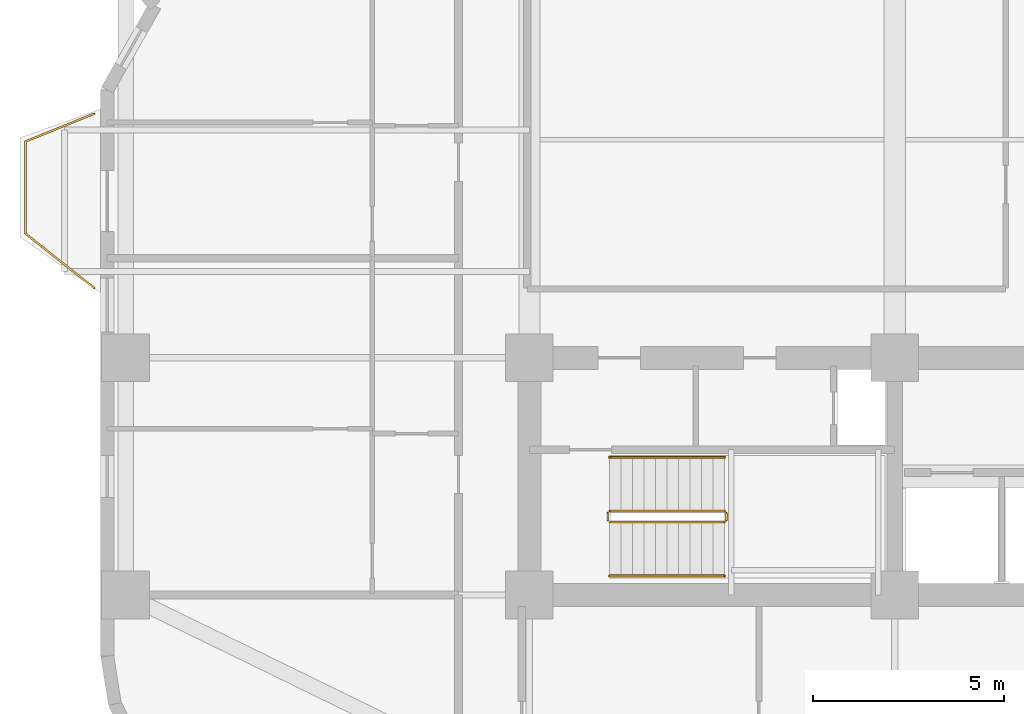
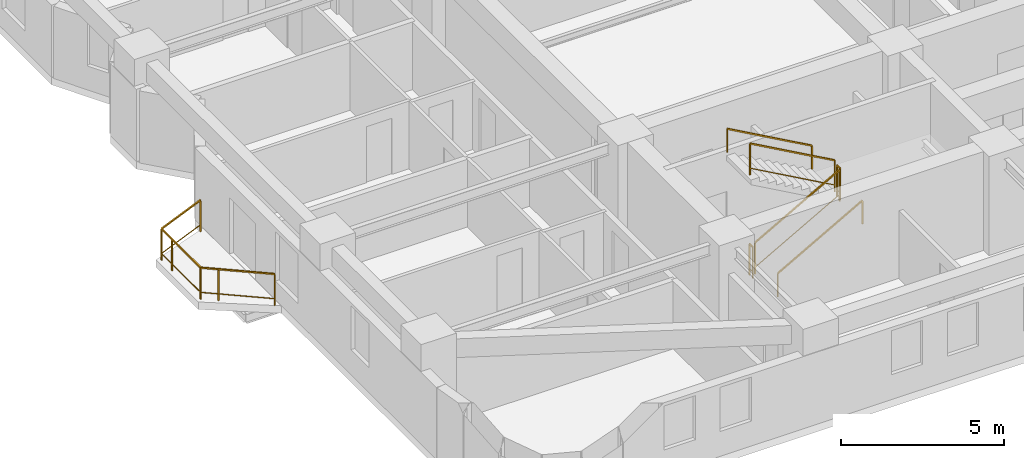
# One storey, part 8 of 9: 7 railings.
"""IFC4 building model written with IfcOpenShell, lengths in metres."""

from ifc_helpers import new_model, si_unit, direction, frame, origin, origin_2d, place, context, subcontext, project, spatial, rectangle, extrude, material, type_object, element, save


model = new_model("IFC4")

# Units and contexts
model_context = context("Model", 3, precision=1e-05, world=origin(), true_north=direction((0.0, 1.0)))
body_context = subcontext(model_context, "Body", "Model", "MODEL_VIEW")
ifc_project = project(units=[si_unit("LENGTHUNIT", "METRE"), si_unit("AREAUNIT", "SQUARE_METRE"), si_unit("VOLUMEUNIT", "CUBIC_METRE"), si_unit("PLANEANGLEUNIT", "RADIAN"), si_unit("MASSUNIT", "GRAM", prefix="KILO")], contexts=[model_context])

# Site, building, storey
site_placement = place(None, origin())
site = spatial("IfcSite", under=ifc_project, at=site_placement, CompositionType="ELEMENT")
building_placement = place(site_placement, origin())
building = spatial("IfcBuilding", under=site, at=building_placement, Name="Svetorya Sky Lyceum", CompositionType="ELEMENT")
storey_placement = place(building_placement, frame((0.0, 0.0, 54.699951171875)))
storey = spatial("IfcBuildingStorey", under=building, at=storey_placement, Name="L13", CompositionType="ELEMENT", Elevation=54.699951171875)

# Railings
ifc_material_1 = material(Name="Laminated safety glass and stainless AISI 316", Category="glass")
railing_type_1 = type_object("IfcRailingType", Name="RL-BAL-1200", PredefinedType="BALUSTRADE", material=ifc_material_1)
railing_1_placement = place(storey_placement, frame((14.22998046875, 18.6201171875, 0.0)))
element("IfcRailing", 1, at=railing_1_placement, inside=storey, type_object=railing_type_1, Name="L13 Balcony Balustrade BAL-W1", PredefinedType="BALUSTRADE", context=body_context, shape_type="SweptSolid", body=[
    extrude(rectangle(XDim=0.048095703125, YDim=0.048095703125, at=origin_2d()), frame((0.0, 0.0, 1.17578125), z_axis=(-0.783008919264, 0.622010476079, 0.0), x_axis=(-0.622010476079, -0.783008919264, 0.0)), (0.0, 0.0, 1.0), 2.298828125),
    extrude(rectangle(XDim=0.02392578125, YDim=0.02392578125, at=origin_2d()), frame((0.0, 0.0, 0.25), z_axis=(-0.783008919264, 0.622010476079, 0.0), x_axis=(-0.622010476079, -0.783008919264, 0.0)), (0.0, 0.0, 1.0), 2.298828125),
    extrude(rectangle(XDim=0.048095703125, YDim=0.048095703125, at=origin_2d()), frame((-1.800048828125, 1.429931640625, 1.17578125), z_axis=(0.0, 1.0, 0.0), x_axis=(-1.0, 0.0, 0.0)), (0.0, 0.0, 1.0), 2.39990234375),
    extrude(rectangle(XDim=0.02392578125, YDim=0.02392578125, at=origin_2d()), frame((-1.800048828125, 1.429931640625, 0.25), z_axis=(0.0, 1.0, 0.0), x_axis=(-1.0, 0.0, 0.0)), (0.0, 0.0, 1.0), 2.39990234375),
    extrude(rectangle(XDim=0.048095703125, YDim=0.048095703125, at=origin_2d()), frame((-1.800048828125, 3.829833984375, 1.17578125), z_axis=(0.926697865975, 0.375807218129, 0.0), x_axis=(-0.375807218129, 0.926697865975, 0.0)), (0.0, 0.0, 1.0), 1.9423828125),
    extrude(rectangle(XDim=0.02392578125, YDim=0.02392578125, at=origin_2d()), frame((-1.800048828125, 3.829833984375, 0.25), z_axis=(0.926697865975, 0.375807218129, 0.0), x_axis=(-0.375807218129, 0.926697865975, 0.0)), (0.0, 0.0, 1.0), 1.9423828125),
    extrude(rectangle(XDim=0.0419921875, YDim=0.0419921875, at=origin_2d()), origin(), (0.0, 0.0, 1.0), 1.15185546875),
    extrude(rectangle(XDim=0.0419921875, YDim=0.0419921875, at=origin_2d()), frame((-1.370361328125, 1.088623046875, 0.0)), (0.0, 0.0, 1.0), 1.15185546875),
    extrude(rectangle(XDim=0.0419921875, YDim=0.0419921875, at=origin_2d()), frame((-1.800048828125, 1.429931640625, 0.0)), (0.0, 0.0, 1.0), 1.15185546875),
    extrude(rectangle(XDim=0.0419921875, YDim=0.0419921875, at=origin_2d()), frame((-1.800048828125, 3.179931640625, 0.0)), (0.0, 0.0, 1.0), 1.15185546875),
    extrude(rectangle(XDim=0.0419921875, YDim=0.0419921875, at=origin_2d()), frame((-1.800048828125, 3.829833984375, 0.0)), (0.0, 0.0, 1.0), 1.15185546875),
    extrude(rectangle(XDim=0.0419921875, YDim=0.0419921875, at=origin_2d()), frame((0.0, 4.559814453125, 0.0)), (0.0, 0.0, 1.0), 1.15185546875),
])
ifc_material_2 = material(Name="Painted galvanized stair well guard")
railing_type_2 = type_object("IfcRailingType", Name="RL-STR-GUARD-1200", PredefinedType="GUARDRAIL", material=ifc_material_2)
railing_2_placement = place(storey_placement, frame((27.699951171875, 12.5, 0.168212890625)))
element("IfcRailing", 2, at=railing_2_placement, inside=storey, type_object=railing_type_2, Name="L13 ST-S stair guard 1", PredefinedType="GUARDRAIL", context=body_context, shape_type="SweptSolid", body=[
    extrude(rectangle(XDim=0.048095703125, YDim=0.048095703125, at=origin_2d()), frame((0.0, 0.0, 1.17578125), z_axis=(0.872272294576, 0.0, 0.489020494575), x_axis=(0.0, 1.0, 0.0)), (0.0, 0.0, 1.0), 3.439208984375),
    extrude(rectangle(XDim=0.02392578125, YDim=0.02392578125, at=origin_2d()), frame((0.0, 0.0, 0.25), z_axis=(0.872272294576, 0.0, 0.489020494575), x_axis=(0.0, 1.0, 0.0)), (0.0, 0.0, 1.0), 3.439208984375),
    extrude(rectangle(XDim=0.0419921875, YDim=0.0419921875, at=origin_2d()), origin(), (0.0, 0.0, 1.0), 1.15185546875),
    extrude(rectangle(XDim=0.0419921875, YDim=0.0419921875, at=origin_2d()), frame((3.0, 0.0, 1.681884765625)), (0.0, 0.0, 1.0), 1.15185546875),
])
railing_3_placement = place(storey_placement, frame((30.75, 12.550048828125, 1.85009765625)))
element("IfcRailing", 3, at=railing_3_placement, inside=storey, type_object=railing_type_2, Name="L13 ST-S stair guard 2", PredefinedType="GUARDRAIL", context=body_context, shape_type="SweptSolid", body=[
    extrude(rectangle(XDim=0.048095703125, YDim=0.048095703125, at=origin_2d()), frame((0.0, 0.0, 1.17578125), z_axis=(0.0, 1.0, 0.0), x_axis=(-1.0, 0.0, 0.0)), (0.0, 0.0, 1.0), 0.199951171875),
    extrude(rectangle(XDim=0.02392578125, YDim=0.02392578125, at=origin_2d()), frame((0.0, 0.0, 0.25), z_axis=(0.0, 1.0, 0.0), x_axis=(-1.0, 0.0, 0.0)), (0.0, 0.0, 1.0), 0.199951171875),
    extrude(rectangle(XDim=0.0419921875, YDim=0.0419921875, at=origin_2d()), origin(), (0.0, 0.0, 1.0), 1.15185546875),
    extrude(rectangle(XDim=0.0419921875, YDim=0.0419921875, at=origin_2d()), frame((0.0, 0.199951171875, 0.0)), (0.0, 0.0, 1.0), 1.15185546875),
])
railing_4_placement = place(storey_placement, frame((30.699951171875, 12.800048828125, 2.018310546875)))
element("IfcRailing", 4, at=railing_4_placement, inside=storey, type_object=railing_type_2, Name="L13 ST-S stair guard 3", PredefinedType="GUARDRAIL", context=body_context, shape_type="SweptSolid", body=[
    extrude(rectangle(XDim=0.048095703125, YDim=0.048095703125, at=origin_2d()), frame((0.0, 0.0, 1.17578125), z_axis=(-0.872302573547, 0.0, 0.488966481656), x_axis=(0.0, -1.0, 0.0)), (0.0, 0.0, 1.0), 3.439208984375),
    extrude(rectangle(XDim=0.02392578125, YDim=0.02392578125, at=origin_2d()), frame((0.0, 0.0, 0.25), z_axis=(-0.872302573547, 0.0, 0.488966481656), x_axis=(0.0, -1.0, 0.0)), (0.0, 0.0, 1.0), 3.439208984375),
    extrude(rectangle(XDim=0.0419921875, YDim=0.0419921875, at=origin_2d()), origin(), (0.0, 0.0, 1.0), 1.15185546875),
    extrude(rectangle(XDim=0.0419921875, YDim=0.0419921875, at=origin_2d()), frame((-3.0, 0.0, 1.681640625)), (0.0, 0.0, 1.0), 1.15185546875),
])
railing_5_placement = place(storey_placement, frame((27.64990234375, 12.550048828125, 0.0)))
element("IfcRailing", 5, at=railing_5_placement, inside=storey, type_object=railing_type_2, Name="L13 ST-S stair guard 4", PredefinedType="GUARDRAIL", context=body_context, shape_type="SweptSolid", body=[
    extrude(rectangle(XDim=0.048095703125, YDim=0.048095703125, at=origin_2d()), frame((0.0, 0.0, 1.17578125), z_axis=(0.0, 1.0, 0.0), x_axis=(-1.0, 0.0, 0.0)), (0.0, 0.0, 1.0), 0.199951171875),
    extrude(rectangle(XDim=0.02392578125, YDim=0.02392578125, at=origin_2d()), frame((0.0, 0.0, 0.25), z_axis=(0.0, 1.0, 0.0), x_axis=(-1.0, 0.0, 0.0)), (0.0, 0.0, 1.0), 0.199951171875),
    extrude(rectangle(XDim=0.0419921875, YDim=0.0419921875, at=origin_2d()), origin(), (0.0, 0.0, 1.0), 1.15185546875),
    extrude(rectangle(XDim=0.0419921875, YDim=0.0419921875, at=origin_2d()), frame((0.0, 0.199951171875, 0.0)), (0.0, 0.0, 1.0), 1.15185546875),
])
ifc_material_3 = material(Name="Brushed stainless AISI 304 stair handrail")
railing_type_3 = type_object("IfcRailingType", Name="RL-STR-HAND-920", PredefinedType="HANDRAIL", material=ifc_material_3)
railing_6_placement = place(storey_placement, frame((27.699951171875, 11.10009765625, 0.168212890625)))
element("IfcRailing", 6, at=railing_6_placement, inside=storey, type_object=railing_type_3, Name="L13 ST-S stair handrail 1", PredefinedType="HANDRAIL", context=body_context, shape_type="SweptSolid", body=[
    extrude(rectangle(XDim=0.048095703125, YDim=0.048095703125, at=origin_2d()), frame((0.0, 0.0, 0.8759765625), z_axis=(0.872272294576, 0.0, 0.489020494575), x_axis=(0.0, 1.0, 0.0)), (0.0, 0.0, 1.0), 3.439208984375),
    extrude(rectangle(XDim=0.0419921875, YDim=0.0419921875, at=origin_2d()), origin(), (0.0, 0.0, 1.0), 0.851806640625),
    extrude(rectangle(XDim=0.0419921875, YDim=0.0419921875, at=origin_2d()), frame((3.0, 0.0, 1.681884765625)), (0.0, 0.0, 1.0), 0.851806640625),
])
railing_7_placement = place(storey_placement, frame((30.699951171875, 14.199951171875, 2.018310546875)))
element("IfcRailing", 7, at=railing_7_placement, inside=storey, type_object=railing_type_3, Name="L13 ST-S stair handrail 2", PredefinedType="HANDRAIL", context=body_context, shape_type="SweptSolid", body=[
    extrude(rectangle(XDim=0.048095703125, YDim=0.048095703125, at=origin_2d()), frame((0.0, 0.0, 0.8759765625), z_axis=(-0.872302573547, 0.0, 0.488966481656), x_axis=(0.0, -1.0, 0.0)), (0.0, 0.0, 1.0), 3.439208984375),
    extrude(rectangle(XDim=0.0419921875, YDim=0.0419921875, at=origin_2d()), origin(), (0.0, 0.0, 1.0), 0.851806640625),
    extrude(rectangle(XDim=0.0419921875, YDim=0.0419921875, at=origin_2d()), frame((-3.0, 0.0, 1.681640625)), (0.0, 0.0, 1.0), 0.851806640625),
])

save(model, "model.ifc")
